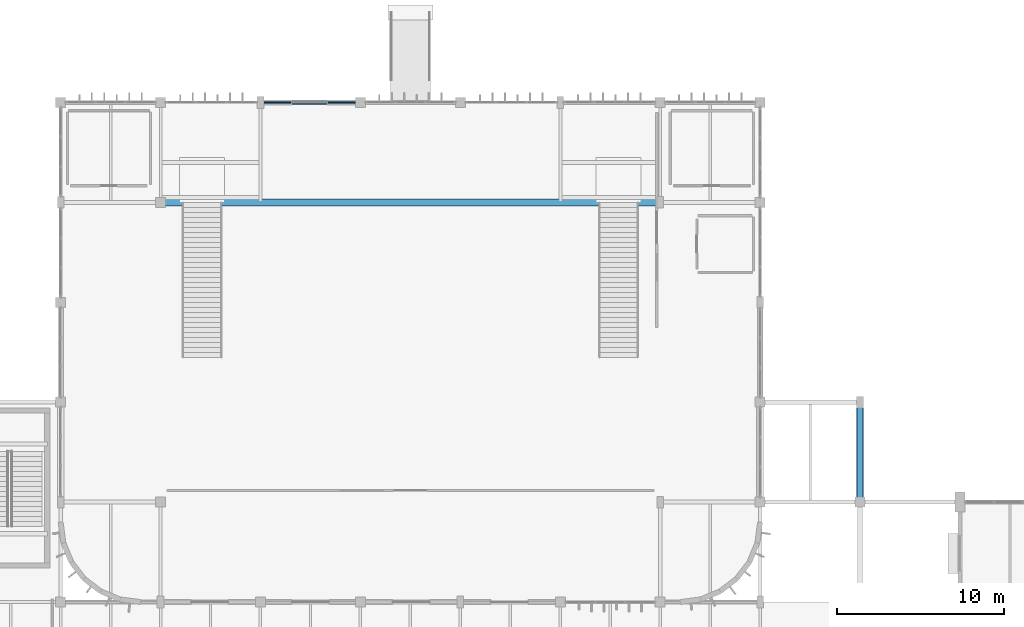
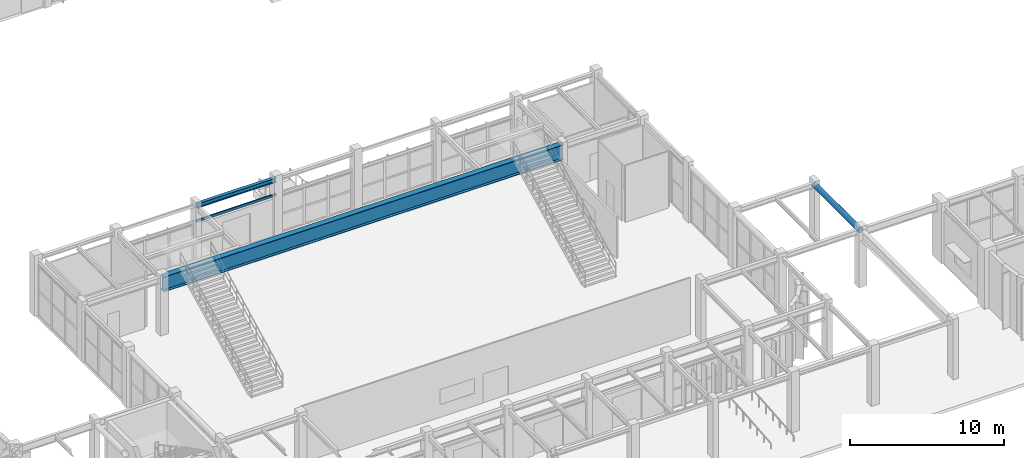
# One storey, part 18 of 76: 4 beams.
"""IFC4 building model written with IfcOpenShell, lengths in metres."""

from ifc_helpers import new_model, si_unit, direction, frame, origin, origin_2d, place, context, subcontext, project, spatial, hollow_rectangle, hollow_circle, i_section, extrude, material, material_profile, profile_set, type_object, element, save


model = new_model("IFC4")

# Units and contexts
model_context = context("Model", 3, precision=1e-05, world=origin(), true_north=direction((0.0, 1.0)))
body_context = subcontext(model_context, "Body", "Model", "MODEL_VIEW")
ifc_project = project(units=[si_unit("LENGTHUNIT", "METRE"), si_unit("AREAUNIT", "SQUARE_METRE"), si_unit("VOLUMEUNIT", "CUBIC_METRE"), si_unit("PLANEANGLEUNIT", "RADIAN"), si_unit("MASSUNIT", "GRAM", prefix="KILO")], contexts=[model_context])

# Site, building, storey
site_placement = place(None, origin())
site = spatial("IfcSite", under=ifc_project, at=site_placement, CompositionType="ELEMENT")
building_placement = place(site_placement, origin())
building = spatial("IfcBuilding", under=site, at=building_placement, Name="Varnakota Square Police Headquarters", CompositionType="ELEMENT")
storey_placement = place(building_placement, origin())
storey = spatial("IfcBuildingStorey", under=building, at=storey_placement, Name="L00", CompositionType="ELEMENT", Elevation=0.0)

# Beams
ifc_material = material(Name="Steel IS 2062 Grade 350", Category="steel")
ifc_material_profile_1 = material_profile(ifc_material, hollow_circle(Radius=0.203125, WallThickness=0.01611328125, at=origin_2d()), Name="CHS 406.4x16.0")
ifc_profile_set_1 = profile_set([ifc_material_profile_1], Name="Steel IS 2062 Grade 350")
beam_type_1 = type_object("IfcBeamType", Name="BM-ARC-CHS406", PredefinedType="BEAM", material=ifc_profile_set_1)
beam_1_placement = place(storey_placement, frame((102.0, 15.0, 4.296875), z_axis=(0.0, 1.0, 0.0), x_axis=(-1.0, 0.0, 0.0)))
element("IfcBeam", 1, at=beam_1_placement, inside=storey, type_object=beam_type_1, Name="BMG-L00-1080", PredefinedType="BEAM", context=body_context, shape_type="SweptSolid", body=[
    extrude(hollow_circle(Radius=0.203125, WallThickness=0.01611328125, at=origin_2d()), origin(), (0.0, 0.0, 1.0), 6.0),
])
ifc_material_profile_2 = material_profile(ifc_material, i_section(OverallWidth=0.419921875, OverallDepth=1.199951171875, WebThickness=0.02197265625, FlangeThickness=0.034912109375, at=origin_2d()), Name="BPG 1200x420")
ifc_profile_set_2 = profile_set([ifc_material_profile_2], Name="Steel IS 2062 Grade 350")
beam_type_2 = type_object("IfcBeamType", Name="BM-BPG1200", PredefinedType="BEAM", material=ifc_profile_set_2)
beam_2_placement = place(storey_placement, frame((60.0, 33.0, 3.919921875), z_axis=(1.0, 0.0, 0.0), x_axis=(0.0, 1.0, 0.0)))
element("IfcBeam", 2, at=beam_2_placement, inside=storey, type_object=beam_type_2, Name="Entrance gallery north edge girder L00", PredefinedType="BEAM", context=body_context, shape_type="SweptSolid", body=[
    extrude(i_section(OverallWidth=0.419921875, OverallDepth=1.199951171875, WebThickness=0.02197265625, FlangeThickness=0.034912109375, at=origin_2d()), origin(), (0.0, 0.0, 1.0), 30.0),
])
ifc_material_profile_3 = material_profile(ifc_material, i_section(OverallWidth=0.25, OverallDepth=0.35009765625, WebThickness=0.010009765625, FlangeThickness=0.01171875, FilletRadius=0.011962890625, at=origin_2d()), Name="ISHB 350")
ifc_profile_set_3 = profile_set([ifc_material_profile_3], Name="Steel IS 2062 Grade 350")
beam_type_3 = type_object("IfcBeamType", Name="BM-ISHB350", PredefinedType="BEAM", material=ifc_profile_set_3)
beam_3_placement = place(storey_placement, frame((66.0, 39.0, 4.324951171875), z_axis=(1.0, 0.0, 0.0), x_axis=(0.0, 1.0, 0.0)))
element("IfcBeam", 3, at=beam_3_placement, inside=storey, type_object=beam_type_3, Name="BMG-L00-0781", PredefinedType="BEAM", context=body_context, shape_type="SweptSolid", body=[
    extrude(i_section(OverallWidth=0.25, OverallDepth=0.35009765625, WebThickness=0.010009765625, FlangeThickness=0.01171875, FilletRadius=0.011962890625, at=origin_2d()), origin(), (0.0, 0.0, 1.0), 6.0),
])
ifc_material_profile_4 = material_profile(ifc_material, hollow_rectangle(XDim=0.10009765625, YDim=0.199951171875, WallThickness=0.008056640625, InnerFilletRadius=0.008056640625, OuterFilletRadius=0.01611328125, at=origin_2d()), Name="RHS 200x100x8")
ifc_profile_set_4 = profile_set([ifc_material_profile_4], Name="Steel IS 2062 Grade 350")
beam_type_4 = type_object("IfcBeamType", Name="BM-LNT-RHS200", PredefinedType="LINTEL", material=ifc_profile_set_4)
beam_4_placement = place(storey_placement, frame((66.0, 39.0, 3.10009765625), z_axis=(1.0, 0.0, 0.0), x_axis=(0.0, 1.0, 0.0)))
element("IfcBeam", 4, at=beam_4_placement, inside=storey, type_object=beam_type_4, Name="Court lintel LNT-N03", PredefinedType="LINTEL", context=body_context, shape_type="SweptSolid", body=[
    extrude(hollow_rectangle(XDim=0.10009765625, YDim=0.199951171875, WallThickness=0.008056640625, InnerFilletRadius=0.008056640625, OuterFilletRadius=0.01611328125, at=origin_2d()), origin(), (0.0, 0.0, 1.0), 6.0),
])

save(model, "model.ifc")
